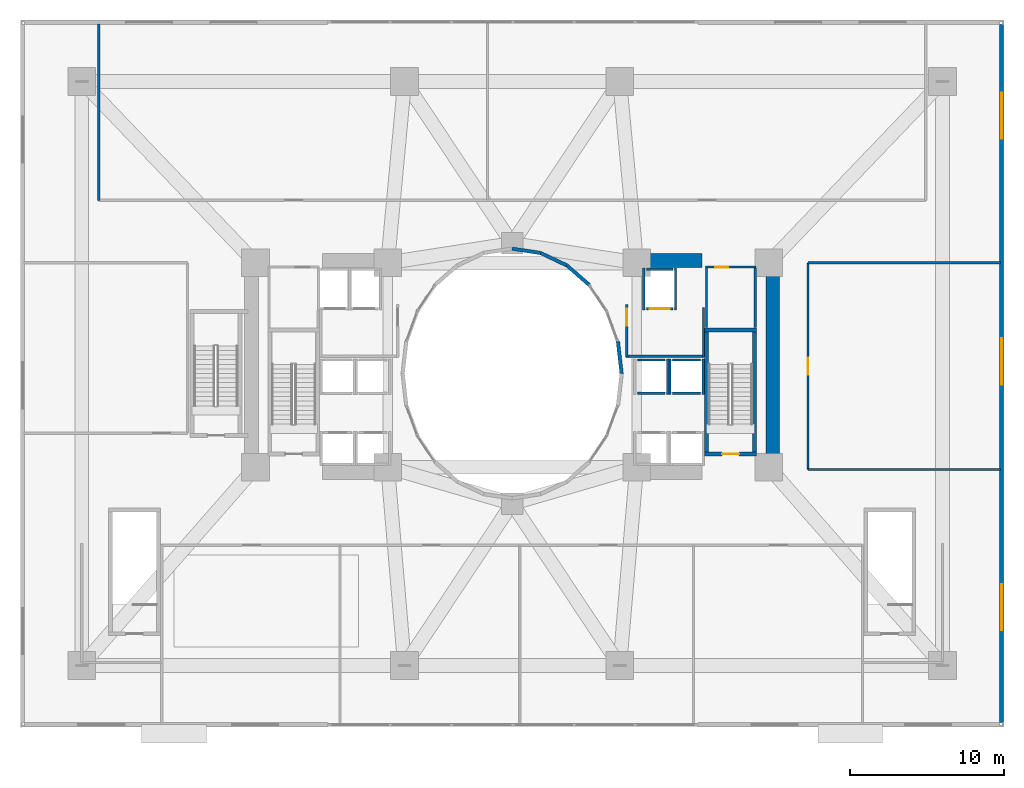
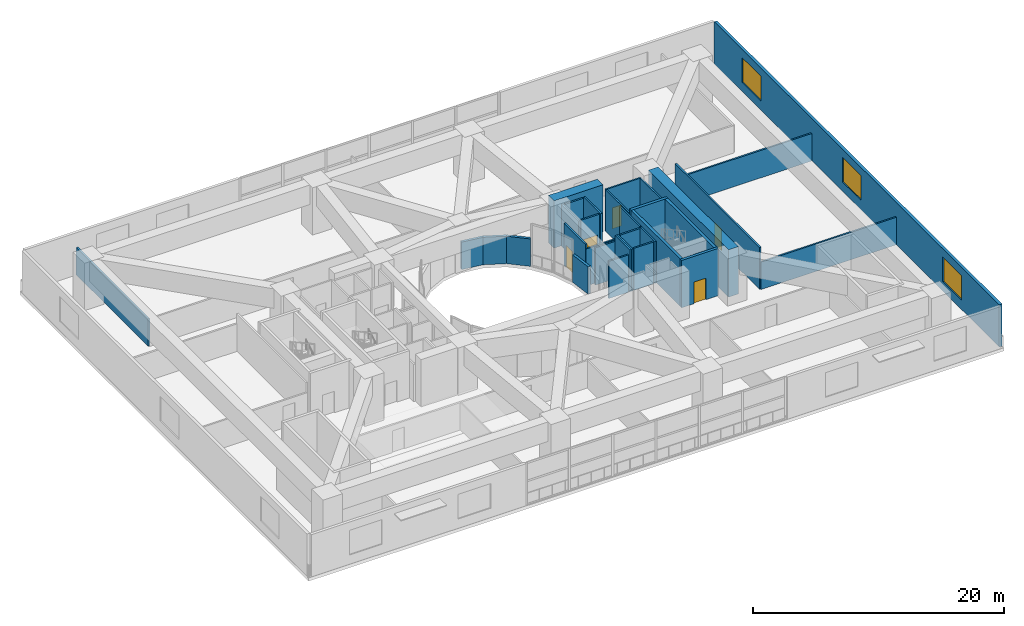
# One storey, part 20 of 27: 32 walls, 5 doors, 3 windows, 8 openings.
"""IFC4 building model written with IfcOpenShell, lengths in metres."""

from ifc_helpers import new_model, si_unit, direction, frame, frame_2d, origin, place, context, subcontext, project, spatial, rectangle, extrude, material, layer, layer_set, type_object, element, fill, save


model = new_model("IFC4")

# Units and contexts
model_context = context("Model", 3, precision=1e-05, world=origin(), true_north=direction((0.0, 1.0)))
body_context = subcontext(model_context, "Body", "Model", "MODEL_VIEW")
ifc_project = project(units=[si_unit("LENGTHUNIT", "METRE"), si_unit("AREAUNIT", "SQUARE_METRE"), si_unit("VOLUMEUNIT", "CUBIC_METRE"), si_unit("PLANEANGLEUNIT", "RADIAN"), si_unit("MASSUNIT", "GRAM", prefix="KILO")], contexts=[model_context])

# Site, building, storey
site_placement = place(None, origin())
site = spatial("IfcSite", under=ifc_project, at=site_placement, CompositionType="ELEMENT")
building_placement = place(site_placement, origin())
building = spatial("IfcBuilding", under=site, at=building_placement, Name="Solvane Sanctuary Tower", CompositionType="ELEMENT")
storey_placement = place(building_placement, frame((0.0, 0.0, 23.0)))
storey = spatial("IfcBuildingStorey", under=building, at=storey_placement, Name="L06", CompositionType="ELEMENT", Elevation=23.0)

# Walls
ifc_material_1 = material(Name="Concrete C70/85", Category="concrete")
ifc_layer_1 = layer(ifc_material_1, 0.89990234375, Name="Concrete C70/85")
ifc_layer_set_1 = layer_set([ifc_layer_1], Name="Concrete C70/85")
wall_type_1 = type_object("IfcWallType", Name="Wall W-CORE-900", PredefinedType="SHEAR", material=ifc_layer_set_1)
wall_1_placement = place(storey_placement, frame((48.949951171875, 17.050048828125, 0.0), z_axis=(0.0, 0.0, 1.0), x_axis=(0.0, 1.0, 0.0)))
element("IfcWall", 1, at=wall_1_placement, inside=storey, type_object=wall_type_1, Name="L06 Core Shear Wall EC-E", PredefinedType="SHEAR", context=body_context, shape_type="SweptSolid", body=[
    extrude(rectangle(XDim=12.800048828125, YDim=0.89990234375, at=frame_2d((6.39990234375, 0.0))), origin(), (0.0, 0.0, 1.0), 4.60009765625),
])
wall_2_placement = place(storey_placement, frame((39.85009765625, 30.35009765625, 0.0), z_axis=(0.0, 0.0, 1.0), x_axis=(1.0, 0.0, 0.0)))
element("IfcWall", 2, at=wall_2_placement, inside=storey, type_object=wall_type_1, Name="L06 Core Shear Wall EC-N", PredefinedType="SHEAR", context=body_context, shape_type="SweptSolid", body=[
    extrude(rectangle(XDim=4.5, YDim=0.89990234375, at=frame_2d((2.25, 0.0))), origin(), (0.0, 0.0, 1.0), 4.60009765625),
])
ifc_material_2 = material(Name="Acoustic Gypsum Partition Board")
ifc_layer_2 = layer(ifc_material_2, 0.14990234375, Name="Acoustic Gypsum Partition Board")
ifc_layer_set_2 = layer_set([ifc_layer_2], Name="Acoustic Gypsum Partition Board")
wall_type_2 = type_object("IfcWallType", Name="Wall W-CORR-150", PredefinedType="PARTITIONING", material=ifc_layer_set_2)
wall_3_placement = place(storey_placement, frame((39.39990234375, 24.1201171875, 0.0), z_axis=(0.0, 0.0, 1.0), x_axis=(1.0, 0.0, 0.0)))
element("IfcWall", 3, at=wall_3_placement, inside=storey, type_object=wall_type_2, Name="L06 East Firefighting Lobby South Wall", PredefinedType="PARTITIONING", context=body_context, shape_type="SweptSolid", body=[
    extrude(rectangle(XDim=5.080078125, YDim=0.14990234375, at=frame_2d((2.5400390625, 0.0))), origin(), (0.0, 0.0, 1.0), 3.6201171875),
])
wall_4_placement = place(storey_placement, frame((44.449951171875, 24.080078125, 0.0), z_axis=(0.0, 0.0, 1.0), x_axis=(0.0, 1.0, 0.0)))
element("IfcWall", 4, at=wall_4_placement, inside=storey, type_object=wall_type_2, Name="L06 East Firefighting Lobby East Wall", PredefinedType="PARTITIONING", context=body_context, shape_type="SweptSolid", body=[
    extrude(rectangle(XDim=3.199951171875, YDim=0.14990234375, at=frame_2d((1.60009765625, 0.0))), origin(), (0.0, 0.0, 1.0), 4.074951171875),
])

# Wall, opening, door
wall_5_placement = place(storey_placement, frame((39.449951171875, 24.080078125, 0.0), z_axis=(0.0, 0.0, 1.0), x_axis=(0.0, 1.0, 0.0)))
wall_5 = element("IfcWall", 5, at=wall_5_placement, inside=storey, type_object=wall_type_2, Name="L06 East Firefighting Lobby West Wall", PredefinedType="PARTITIONING", context=body_context, shape_type="SweptSolid", body=[
    extrude(rectangle(XDim=3.39990234375, YDim=0.14990234375, at=frame_2d((1.699951171875, 0.0))), origin(), (0.0, 0.0, 1.0), 4.074951171875),
])
opening_1_placement = place(wall_5_placement, frame((2.02001953125, 0.0, 0.0)))
opening_1 = element("IfcOpeningElement", 6, at=opening_1_placement, cuts=wall_5, Name="Opening D-L06-07", PredefinedType="OPENING", context=body_context, shape_type="SweptSolid", body=[
    extrude(rectangle(XDim=1.10009765625, YDim=2.10009765625, at=frame_2d((0.550048828125, 1.050048828125))), frame((0.0, 0.0849609375, 0.0), z_axis=(0.0, -1.0, 0.0), x_axis=(1.0, 0.0, 0.0)), (0.0, 0.0, 1.0), 0.169921875),
])
ifc_material_3 = material(Name="Architectural Stainless Steel 316", Category="steel")
door_type_1 = type_object("IfcDoorType", Name="Door D-FFL", OperationType="NOTDEFINED", PredefinedType="DOOR", material=ifc_material_3)
door_1_placement = place(opening_1_placement, origin())
door_1 = element("IfcDoor", 7, at=door_1_placement, inside=storey, type_object=door_type_1, Name="L06 East Firefighting Lobby Fire Door", OperationType="SINGLE_SWING_LEFT", OverallHeight=2.10009765625, OverallWidth=1.10009765625, PredefinedType="DOOR", context=body_context, shape_type="SweptSolid", body=[
    extrude(rectangle(XDim=1.10009765625, YDim=2.10009765625, at=frame_2d((0.550048828125, 1.050048828125))), frame((0.0, 0.02490234375, 0.0), z_axis=(0.0, -1.0, 0.0), x_axis=(1.0, 0.0, 0.0)), (0.0, 0.0, 1.0), 0.050048828125),
])
fill(opening_1, door_1)

# Wall
wall_6_placement = place(storey_placement, frame((5.10009765625, 34.27001953125, 0.0), z_axis=(0.0, 0.0, 1.0), x_axis=(0.0, 1.0, 0.0)))
element("IfcWall", 8, at=wall_6_placement, inside=storey, type_object=wall_type_2, Name="L06 North Hall West Wall", PredefinedType="PARTITIONING", context=body_context, shape_type="SweptSolid", body=[
    extrude(rectangle(XDim=11.47998046875, YDim=0.14990234375, at=frame_2d((5.739990234375, 0.0))), origin(), (0.0, 0.0, 1.0), 2.669921875),
])

# Wall, opening, door
wall_7_placement = place(storey_placement, frame((51.25, 16.75, 0.0), z_axis=(0.0, 0.0, 1.0), x_axis=(0.0, 1.0, 0.0)))
wall_7 = element("IfcWall", 9, at=wall_7_placement, inside=storey, type_object=wall_type_2, Name="L06 East Sanctuary Corridor Wall", PredefinedType="PARTITIONING", context=body_context, shape_type="SweptSolid", body=[
    extrude(rectangle(XDim=13.449951171875, YDim=0.14990234375, at=frame_2d((6.72509765625, 0.0))), origin(), (0.0, 0.0, 1.0), 4.074951171875),
])
opening_2_placement = place(wall_7_placement, frame((6.175048828125, 0.0, 0.0)))
opening_2 = element("IfcOpeningElement", 10, at=opening_2_placement, cuts=wall_7, Name="Opening D-L06-14", PredefinedType="OPENING", context=body_context, shape_type="SweptSolid", body=[
    extrude(rectangle(XDim=1.10009765625, YDim=2.10009765625, at=frame_2d((0.550048828125, 1.050048828125))), frame((0.0, 0.0849609375, 0.0), z_axis=(0.0, -1.0, 0.0), x_axis=(1.0, 0.0, 0.0)), (0.0, 0.0, 1.0), 0.169921875),
])
door_2_placement = place(opening_2_placement, origin())
door_2 = element("IfcDoor", 11, at=door_2_placement, inside=storey, type_object=door_type_1, Name="L06 NURSE Office Door", OperationType="SINGLE_SWING_RIGHT", OverallHeight=2.10009765625, OverallWidth=1.10009765625, PredefinedType="DOOR", context=body_context, shape_type="SweptSolid", body=[
    extrude(rectangle(XDim=1.10009765625, YDim=2.10009765625, at=frame_2d((0.550048828125, 1.050048828125))), frame((0.0, 0.02490234375, 0.0), z_axis=(0.0, -1.0, 0.0), x_axis=(1.0, 0.0, 0.0)), (0.0, 0.0, 1.0), 0.050048828125),
])
fill(opening_2, door_2)

# Walls
for number, where, z_axis, x_axis, name in (
    (12, (51.25, 16.75, 0.0), (0.0, 0.0, 1.0), (1.0, 0.0, 0.0), "L06 East Sanctuary South Wall"),
    (13, (51.25, 30.199951171875, 0.0), (0.0, 0.0, 1.0), (1.0, 0.0, 0.0), "L06 East Sanctuary North Wall"),
):
    element("IfcWall", number, at=place(storey_placement, frame(where, z_axis=z_axis, x_axis=x_axis)), inside=storey, type_object=wall_type_2, Name=name, PredefinedType="PARTITIONING", context=body_context, shape_type="SweptSolid", body=[
        extrude(rectangle(XDim=12.530029296875, YDim=0.14990234375, at=frame_2d((6.26513671875, 0.0))), origin(), (0.0, 0.0, 1.0), 2.669921875),
    ])

# Wall, openings, windows
ifc_material_4 = material(Name="Precast concrete C40/50", Category="concrete")
ifc_layer_3 = layer(ifc_material_4, 0.260009765625, Name="Precast concrete C40/50")
ifc_layer_set_3 = layer_set([ifc_layer_3], Name="Precast concrete C40/50")
wall_type_3 = type_object("IfcWallType", Name="Wall W-EXT-250", PredefinedType="STANDARD", material=ifc_layer_set_3)
wall_8_placement = place(storey_placement, frame((63.85009765625, 0.280029296875, 0.0), z_axis=(0.0, 0.0, 1.0), x_axis=(0.0, 1.0, 0.0)))
wall_8 = element("IfcWall", 14, at=wall_8_placement, inside=storey, type_object=wall_type_3, Name="L06 Podium Facade Wall E1", PredefinedType="STANDARD", context=body_context, shape_type="SweptSolid", body=[
    extrude(rectangle(XDim=45.43994140625, YDim=0.260009765625, at=frame_2d((22.719970703125, 0.0))), origin(), (0.0, 0.0, 1.0), 4.10009765625),
])
opening_3_placement = place(wall_8_placement, frame((6.0, 0.0, 0.89990234375)))
opening_3 = element("IfcOpeningElement", 15, at=opening_3_placement, cuts=wall_8, Name="Opening WN-POD-3000", PredefinedType="OPENING", context=body_context, shape_type="SweptSolid", body=[
    extrude(rectangle(XDim=3.0, YDim=2.39990234375, at=frame_2d((1.5, 1.199951171875))), frame((0.0, 0.139892578125, 0.0), z_axis=(0.0, -1.0, 0.0), x_axis=(1.0, 0.0, 0.0)), (0.0, 0.0, 1.0), 0.280029296875),
])
opening_4_placement = place(wall_8_placement, frame((22.0, 0.0, 0.89990234375)))
opening_4 = element("IfcOpeningElement", 16, at=opening_4_placement, cuts=wall_8, Name="Opening WN-POD-3000", PredefinedType="OPENING", context=body_context, shape_type="SweptSolid", body=[
    extrude(rectangle(XDim=3.0, YDim=2.39990234375, at=frame_2d((1.5, 1.199951171875))), frame((0.0, 0.139892578125, 0.0), z_axis=(0.0, -1.0, 0.0), x_axis=(1.0, 0.0, 0.0)), (0.0, 0.0, 1.0), 0.280029296875),
])
opening_5_placement = place(wall_8_placement, frame((38.0, 0.0, 0.89990234375)))
opening_5 = element("IfcOpeningElement", 17, at=opening_5_placement, cuts=wall_8, Name="Opening WN-POD-3000", PredefinedType="OPENING", context=body_context, shape_type="SweptSolid", body=[
    extrude(rectangle(XDim=3.0, YDim=2.39990234375, at=frame_2d((1.5, 1.199951171875))), frame((0.0, 0.139892578125, 0.0), z_axis=(0.0, -1.0, 0.0), x_axis=(1.0, 0.0, 0.0)), (0.0, 0.0, 1.0), 0.280029296875),
])
ifc_material_5 = material(Name="Dark Ceramic-Fritted Low-E Glass", Category="glass")
window_type = type_object("IfcWindowType", Name="Window WN-POD-3000", PartitioningType="SINGLE_PANEL", PredefinedType="WINDOW", material=ifc_material_5)
window_1_placement = place(opening_3_placement, origin())
window_1 = element("IfcWindow", 18, at=window_1_placement, inside=storey, type_object=window_type, Name="L06 Podium Window E1-6", OverallHeight=2.39990234375, OverallWidth=3.0, PartitioningType="SINGLE_PANEL", PredefinedType="WINDOW", context=body_context, shape_type="SweptSolid", body=[
    extrude(rectangle(XDim=3.0, YDim=2.39990234375, at=frame_2d((1.5, 1.199951171875))), frame((0.0, 0.030029296875, 0.0), z_axis=(0.0, -1.0, 0.0), x_axis=(1.0, 0.0, 0.0)), (0.0, 0.0, 1.0), 0.06005859375),
])
fill(opening_3, window_1)
window_2_placement = place(opening_4_placement, origin())
window_2 = element("IfcWindow", 19, at=window_2_placement, inside=storey, type_object=window_type, Name="L06 Podium Window E1-22", OverallHeight=2.39990234375, OverallWidth=3.0, PartitioningType="SINGLE_PANEL", PredefinedType="WINDOW", context=body_context, shape_type="SweptSolid", body=[
    extrude(rectangle(XDim=3.0, YDim=2.39990234375, at=frame_2d((1.5, 1.199951171875))), frame((0.0, 0.030029296875, 0.0), z_axis=(0.0, -1.0, 0.0), x_axis=(1.0, 0.0, 0.0)), (0.0, 0.0, 1.0), 0.06005859375),
])
fill(opening_4, window_2)
window_3_placement = place(opening_5_placement, origin())
window_3 = element("IfcWindow", 20, at=window_3_placement, inside=storey, type_object=window_type, Name="L06 Podium Window E1-38", OverallHeight=2.39990234375, OverallWidth=3.0, PartitioningType="SINGLE_PANEL", PredefinedType="WINDOW", context=body_context, shape_type="SweptSolid", body=[
    extrude(rectangle(XDim=3.0, YDim=2.39990234375, at=frame_2d((1.5, 1.199951171875))), frame((0.0, 0.030029296875, 0.0), z_axis=(0.0, -1.0, 0.0), x_axis=(1.0, 0.0, 0.0)), (0.0, 0.0, 1.0), 0.06005859375),
])
fill(opening_5, window_3)

# Walls
ifc_layer_4 = layer(ifc_material_4, 0.22998046875, Name="Precast concrete C40/50")
ifc_layer_set_4 = layer_set([ifc_layer_4], Name="Precast concrete C40/50")
wall_type_4 = type_object("IfcWallType", Name="Wall W-EXT-SP220", PredefinedType="STANDARD", material=ifc_layer_set_4)
wall_9_placement = place(storey_placement, frame((39.1201171875, 23.0, 0.0), z_axis=(0.0, 0.0, 1.0), x_axis=(-0.114711713601, 0.993398823617, 0.0)))
element("IfcWall", 21, at=wall_9_placement, inside=storey, type_object=wall_type_4, Name="L06 Light-Well Enclosure Wall 00", PredefinedType="STANDARD", context=body_context, shape_type="SweptSolid", body=[
    extrude(rectangle(XDim=2.115478515625, YDim=0.22998046875, at=frame_2d((1.0576171875, 0.0))), origin(), (0.0, 0.0, 1.0), 2.669921875),
])
wall_10_placement = place(storey_placement, frame((37.03466796875, 28.74169921875, 0.0), z_axis=(0.0, 0.0, 1.0), x_axis=(-0.752576694707, 0.658504607869, 0.0)))
element("IfcWall", 22, at=wall_10_placement, inside=storey, type_object=wall_type_4, Name="L06 Light-Well Enclosure Wall 03", PredefinedType="STANDARD", context=body_context, shape_type="SweptSolid", body=[
    extrude(rectangle(XDim=1.95947265625, YDim=0.22998046875, at=frame_2d((0.979736328125, 0.0))), origin(), (0.0, 0.0, 1.0), 2.669921875),
])
wall_11_placement = place(storey_placement, frame((35.56005859375, 30.031982421875, 0.0), z_axis=(0.0, 0.0, 1.0), x_axis=(-0.904179699603, 0.427152280606, 0.0)))
element("IfcWall", 23, at=wall_11_placement, inside=storey, type_object=wall_type_4, Name="L06 Light-Well Enclosure Wall 04", PredefinedType="STANDARD", context=body_context, shape_type="SweptSolid", body=[
    extrude(rectangle(XDim=1.899169921875, YDim=0.22998046875, at=frame_2d((0.94970703125, 0.0))), origin(), (0.0, 0.0, 1.0), 2.669921875),
])
wall_12_placement = place(storey_placement, frame((33.8427734375, 30.84326171875, 0.0), z_axis=(0.0, 0.0, 1.0), x_axis=(-0.988901730308, 0.148571086668, 0.0)))
element("IfcWall", 24, at=wall_12_placement, inside=storey, type_object=wall_type_4, Name="L06 Light-Well Enclosure Wall 05", PredefinedType="STANDARD", context=body_context, shape_type="SweptSolid", body=[
    extrude(rectangle(XDim=1.863525390625, YDim=0.22998046875, at=frame_2d((0.931640625, 0.0))), origin(), (0.0, 0.0, 1.0), 2.669921875),
])
ifc_material_6 = material(Name="Concrete C50/60", Category="concrete")
ifc_layer_5 = layer(ifc_material_6, 0.14990234375, Name="Concrete C50/60")
ifc_layer_set_5 = layer_set([ifc_layer_5], Name="Concrete C50/60")
wall_type_5 = type_object("IfcWallType", Name="Wall W-SHAFT-150", PredefinedType="SOLIDWALL", material=ifc_layer_set_5)
for number, where, z_axis, x_axis, name in (
    (25, (42.43994140625, 21.719970703125, 0.0), (0.0, 0.0, 1.0), (1.0, 0.0, 0.0), "L06 PM-2 Lift Shaft Wall F"),
    (26, (42.43994140625, 23.8798828125, 0.0), (0.0, 0.0, 1.0), (1.0, 0.0, 0.0), "L06 PM-2 Lift Shaft Wall B"),
):
    element("IfcWall", number, at=place(storey_placement, frame(where, z_axis=z_axis, x_axis=x_axis)), inside=storey, type_object=wall_type_5, Name=name, PredefinedType="SOLIDWALL", context=body_context, shape_type="SweptSolid", body=[
        extrude(rectangle(XDim=1.820068359375, YDim=0.14990234375, at=frame_2d((0.91015625, 0.0))), origin(), (0.0, 0.0, 1.0), 4.074951171875),
    ])
for number, where, z_axis, x_axis, name in (
    (27, (42.27001953125, 21.639892578125, 0.0), (0.0, 0.0, 1.0), (0.0, 1.0, 0.0), "L06 PM-2 Lift Shaft Wall S1"),
    (28, (44.429931640625, 21.639892578125, 0.0), (0.0, 0.0, 1.0), (0.0, 1.0, 0.0), "L06 PM-2 Lift Shaft Wall S2"),
):
    element("IfcWall", number, at=place(storey_placement, frame(where, z_axis=z_axis, x_axis=x_axis)), inside=storey, type_object=wall_type_5, Name=name, PredefinedType="SOLIDWALL", context=body_context, shape_type="SweptSolid", body=[
        extrude(rectangle(XDim=2.320068359375, YDim=0.14990234375, at=frame_2d((1.16015625, 0.0))), origin(), (0.0, 0.0, 1.0), 4.074951171875),
    ])
for number, where, z_axis, x_axis, name in (
    (29, (40.139892578125, 21.719970703125, 0.0), (0.0, 0.0, 1.0), (1.0, 0.0, 0.0), "L06 PH-2 Lift Shaft Wall F"),
    (30, (40.139892578125, 23.8798828125, 0.0), (0.0, 0.0, 1.0), (1.0, 0.0, 0.0), "L06 PH-2 Lift Shaft Wall B"),
):
    element("IfcWall", number, at=place(storey_placement, frame(where, z_axis=z_axis, x_axis=x_axis)), inside=storey, type_object=wall_type_5, Name=name, PredefinedType="SOLIDWALL", context=body_context, shape_type="SweptSolid", body=[
        extrude(rectangle(XDim=1.820068359375, YDim=0.14990234375, at=frame_2d((0.91015625, 0.0))), origin(), (0.0, 0.0, 1.0), 3.6201171875),
    ])
wall_13_placement = place(storey_placement, frame((42.1298828125, 21.639892578125, 0.0), z_axis=(0.0, 0.0, 1.0), x_axis=(0.0, 1.0, 0.0)))
element("IfcWall", 31, at=wall_13_placement, inside=storey, type_object=wall_type_5, Name="L06 PH-2 Lift Shaft Wall S2", PredefinedType="SOLIDWALL", context=body_context, shape_type="SweptSolid", body=[
    extrude(rectangle(XDim=2.320068359375, YDim=0.14990234375, at=frame_2d((1.16015625, 0.0))), origin(), (0.0, 0.0, 1.0), 4.074951171875),
])

# Wall, opening, door
wall_14_placement = place(storey_placement, frame((40.739990234375, 27.219970703125, 0.0), z_axis=(0.0, 0.0, 1.0), x_axis=(1.0, 0.0, 0.0)))
wall_14 = element("IfcWall", 32, at=wall_14_placement, inside=storey, type_object=wall_type_5, Name="L06 FFL-2 Lift Shaft Wall F", PredefinedType="SOLIDWALL", context=body_context, shape_type="SweptSolid", body=[
    extrude(rectangle(XDim=1.719970703125, YDim=0.14990234375, at=frame_2d((0.85986328125, 0.0))), origin(), (0.0, 0.0, 1.0), 4.074951171875),
])
opening_6_placement = place(wall_14_placement, frame((0.2099609375, 0.0, 0.0)))
opening_6 = element("IfcOpeningElement", 33, at=opening_6_placement, cuts=wall_14, Name="Opening LD-L06-07", PredefinedType="OPENING", context=body_context, shape_type="SweptSolid", body=[
    extrude(rectangle(XDim=1.300048828125, YDim=2.10009765625, at=frame_2d((0.64990234375, 1.050048828125))), frame((0.0, 0.0849609375, 0.0), z_axis=(0.0, -1.0, 0.0), x_axis=(1.0, 0.0, 0.0)), (0.0, 0.0, 1.0), 0.169921875),
])
door_type_2 = type_object("IfcDoorType", Name="Door LD-FFL-1300", OperationType="NOTDEFINED", PredefinedType="DOOR", material=ifc_material_3)
door_3_placement = place(opening_6_placement, origin())
door_3 = element("IfcDoor", 34, at=door_3_placement, inside=storey, type_object=door_type_2, Name="L06 FFL-2 Lift Landing Door", OperationType="DOUBLE_DOOR_SLIDING", OverallHeight=2.10009765625, OverallWidth=1.300048828125, PredefinedType="DOOR", context=body_context, shape_type="SweptSolid", body=[
    extrude(rectangle(XDim=1.300048828125, YDim=2.10009765625, at=frame_2d((0.64990234375, 1.050048828125))), frame((0.0, 0.02490234375, 0.0), z_axis=(0.0, -1.0, 0.0), x_axis=(1.0, 0.0, 0.0)), (0.0, 0.0, 1.0), 0.050048828125),
])
fill(opening_6, door_3)

# Walls
wall_15_placement = place(storey_placement, frame((40.739990234375, 29.780029296875, 0.0), z_axis=(0.0, 0.0, 1.0), x_axis=(1.0, 0.0, 0.0)))
element("IfcWall", 35, at=wall_15_placement, inside=storey, type_object=wall_type_5, Name="L06 FFL-2 Lift Shaft Wall B", PredefinedType="SOLIDWALL", context=body_context, shape_type="SweptSolid", body=[
    extrude(rectangle(XDim=1.719970703125, YDim=0.14990234375, at=frame_2d((0.85986328125, 0.0))), origin(), (0.0, 0.0, 1.0), 4.074951171875),
])
for number, where, z_axis, x_axis, name in (
    (36, (40.570068359375, 27.139892578125, 0.0), (0.0, 0.0, 1.0), (0.0, 1.0, 0.0), "L06 FFL-2 Lift Shaft Wall S1"),
    (37, (42.6298828125, 27.139892578125, 0.0), (0.0, 0.0, 1.0), (0.0, 1.0, 0.0), "L06 FFL-2 Lift Shaft Wall S2"),
):
    element("IfcWall", number, at=place(storey_placement, frame(where, z_axis=z_axis, x_axis=x_axis)), inside=storey, type_object=wall_type_5, Name=name, PredefinedType="SOLIDWALL", context=body_context, shape_type="SweptSolid", body=[
        extrude(rectangle(XDim=2.72021484375, YDim=0.14990234375, at=frame_2d((1.360107421875, 0.0))), origin(), (0.0, 0.0, 1.0), 4.074951171875),
    ])

# Wall, opening, door
ifc_layer_6 = layer(ifc_material_6, 0.25, Name="Concrete C50/60")
ifc_layer_set_6 = layer_set([ifc_layer_6], Name="Concrete C50/60")
wall_type_6 = type_object("IfcWallType", Name="Wall W-SHAFT-250", PredefinedType="SOLIDWALL", material=ifc_layer_set_6)
wall_16_placement = place(storey_placement, frame((44.52490234375, 17.77001953125, 0.0), z_axis=(0.0, 0.0, 1.0), x_axis=(1.0, 0.0, 0.0)))
wall_16 = element("IfcWall", 38, at=wall_16_placement, inside=storey, type_object=wall_type_6, Name="L06 ST-2 Load-Bearing Shaft Wall S", PredefinedType="SOLIDWALL", context=body_context, shape_type="SweptSolid", body=[
    extrude(rectangle(XDim=3.3701171875, YDim=0.25, at=frame_2d((1.68505859375, 0.0))), origin(), (0.0, 0.0, 1.0), 4.60009765625),
])
opening_7_placement = place(wall_16_placement, frame((1.135009765625, 0.0, 0.0)))
opening_7 = element("IfcOpeningElement", 39, at=opening_7_placement, cuts=wall_16, Name="Opening D-L06-02", PredefinedType="OPENING", context=body_context, shape_type="SweptSolid", body=[
    extrude(rectangle(XDim=1.10009765625, YDim=2.10009765625, at=frame_2d((0.550048828125, 1.050048828125))), frame((0.0, 0.135009765625, 0.0), z_axis=(0.0, -1.0, 0.0), x_axis=(1.0, 0.0, 0.0)), (0.0, 0.0, 1.0), 0.27001953125),
])
door_type_3 = type_object("IfcDoorType", Name="Door D-STAIR", OperationType="NOTDEFINED", PredefinedType="DOOR", material=ifc_material_3)
door_4_placement = place(opening_7_placement, origin())
door_4 = element("IfcDoor", 40, at=door_4_placement, inside=storey, type_object=door_type_3, Name="L06 ST-2 Exit Stair Fire Door", OperationType="SINGLE_SWING_LEFT", OverallHeight=2.10009765625, OverallWidth=1.10009765625, PredefinedType="DOOR", context=body_context, shape_type="SweptSolid", body=[
    extrude(rectangle(XDim=1.10009765625, YDim=2.10009765625, at=frame_2d((0.550048828125, 1.050048828125))), frame((0.0, 0.02490234375, 0.0), z_axis=(0.0, -1.0, 0.0), x_axis=(1.0, 0.0, 0.0)), (0.0, 0.0, 1.0), 0.050048828125),
])
fill(opening_7, door_4)

# Walls
wall_17_placement = place(storey_placement, frame((44.52490234375, 25.830078125, 0.0), z_axis=(0.0, 0.0, 1.0), x_axis=(1.0, 0.0, 0.0)))
element("IfcWall", 41, at=wall_17_placement, inside=storey, type_object=wall_type_6, Name="L06 ST-2 Load-Bearing Shaft Wall N", PredefinedType="SOLIDWALL", context=body_context, shape_type="SweptSolid", body=[
    extrude(rectangle(XDim=3.3701171875, YDim=0.25, at=frame_2d((1.68505859375, 0.0))), origin(), (0.0, 0.0, 1.0), 4.60009765625),
])
for number, where, z_axis, x_axis, name in (
    (42, (44.64990234375, 17.89501953125, 0.0), (0.0, 0.0, 1.0), (0.0, 1.0, 0.0), "L06 ST-2 Load-Bearing Shaft Wall W"),
    (43, (47.77001953125, 17.89501953125, 0.0), (0.0, 0.0, 1.0), (0.0, 1.0, 0.0), "L06 ST-2 Load-Bearing Shaft Wall E"),
):
    element("IfcWall", number, at=place(storey_placement, frame(where, z_axis=z_axis, x_axis=x_axis)), inside=storey, type_object=wall_type_6, Name=name, PredefinedType="SOLIDWALL", context=body_context, shape_type="SweptSolid", body=[
        extrude(rectangle(XDim=7.81005859375, YDim=0.25, at=frame_2d((3.905029296875, 0.0))), origin(), (0.0, 0.0, 1.0), 4.60009765625),
    ])

# Wall, opening, door
ifc_layer_7 = layer(ifc_material_2, 0.139892578125, Name="Acoustic Gypsum Partition Board")
ifc_layer_set_7 = layer_set([ifc_layer_7], Name="Acoustic Gypsum Partition Board")
wall_type_7 = type_object("IfcWallType", Name="Wall W-WET-140", PredefinedType="PLUMBINGWALL", material=ifc_layer_set_7)
wall_18_placement = place(storey_placement, frame((44.580078125, 29.919921875, 0.0), z_axis=(0.0, 0.0, 1.0), x_axis=(1.0, 0.0, 0.0)))
wall_18 = element("IfcWall", 44, at=wall_18_placement, inside=storey, type_object=wall_type_7, Name="L06 Core Store Front Wall", PredefinedType="PLUMBINGWALL", context=body_context, shape_type="SweptSolid", body=[
    extrude(rectangle(XDim=3.2998046875, YDim=0.139892578125, at=frame_2d((1.64990234375, 0.0))), origin(), (0.0, 0.0, 1.0), 4.074951171875),
])
opening_8_placement = place(wall_18_placement, frame((0.643310546875, 0.0, 0.0)))
opening_8 = element("IfcOpeningElement", 45, at=opening_8_placement, cuts=wall_18, Name="Opening D-L06-17", PredefinedType="OPENING", context=body_context, shape_type="SweptSolid", body=[
    extrude(rectangle(XDim=0.85009765625, YDim=2.050048828125, at=frame_2d((0.425048828125, 1.02490234375))), frame((0.0, 0.079833984375, 0.0), z_axis=(0.0, -1.0, 0.0), x_axis=(1.0, 0.0, 0.0)), (0.0, 0.0, 1.0), 0.159912109375),
])
door_type_4 = type_object("IfcDoorType", Name="Door D-RISER", OperationType="NOTDEFINED", PredefinedType="DOOR", material=ifc_material_3)
door_5_placement = place(opening_8_placement, origin())
door_5 = element("IfcDoor", 46, at=door_5_placement, inside=storey, type_object=door_type_4, Name="L06 Core Store Door", OperationType="SINGLE_SWING_LEFT", OverallHeight=2.050048828125, OverallWidth=0.85009765625, PredefinedType="DOOR", context=body_context, shape_type="SweptSolid", body=[
    extrude(rectangle(XDim=0.85009765625, YDim=2.050048828125, at=frame_2d((0.425048828125, 1.02490234375))), frame((0.0, 0.02490234375, 0.0), z_axis=(0.0, -1.0, 0.0), x_axis=(1.0, 0.0, 0.0)), (0.0, 0.0, 1.0), 0.050048828125),
])
fill(opening_8, door_5)

# Walls
for number, where, z_axis, x_axis, name in (
    (47, (44.639892578125, 25.97998046875, 0.0), (0.0, 0.0, 1.0), (0.0, 1.0, 0.0), "L06 Core Store West Wall"),
    (48, (47.820068359375, 25.97998046875, 0.0), (0.0, 0.0, 1.0), (0.0, 1.0, 0.0), "L06 Core Store East Wall"),
):
    element("IfcWall", number, at=place(storey_placement, frame(where, z_axis=z_axis, x_axis=x_axis)), inside=storey, type_object=wall_type_7, Name=name, PredefinedType="PLUMBINGWALL", context=body_context, shape_type="SweptSolid", body=[
        extrude(rectangle(XDim=3.880126953125, YDim=0.139892578125, at=frame_2d((1.93994140625, 0.0))), origin(), (0.0, 0.0, 1.0), 4.074951171875),
    ])

save(model, "model.ifc")
